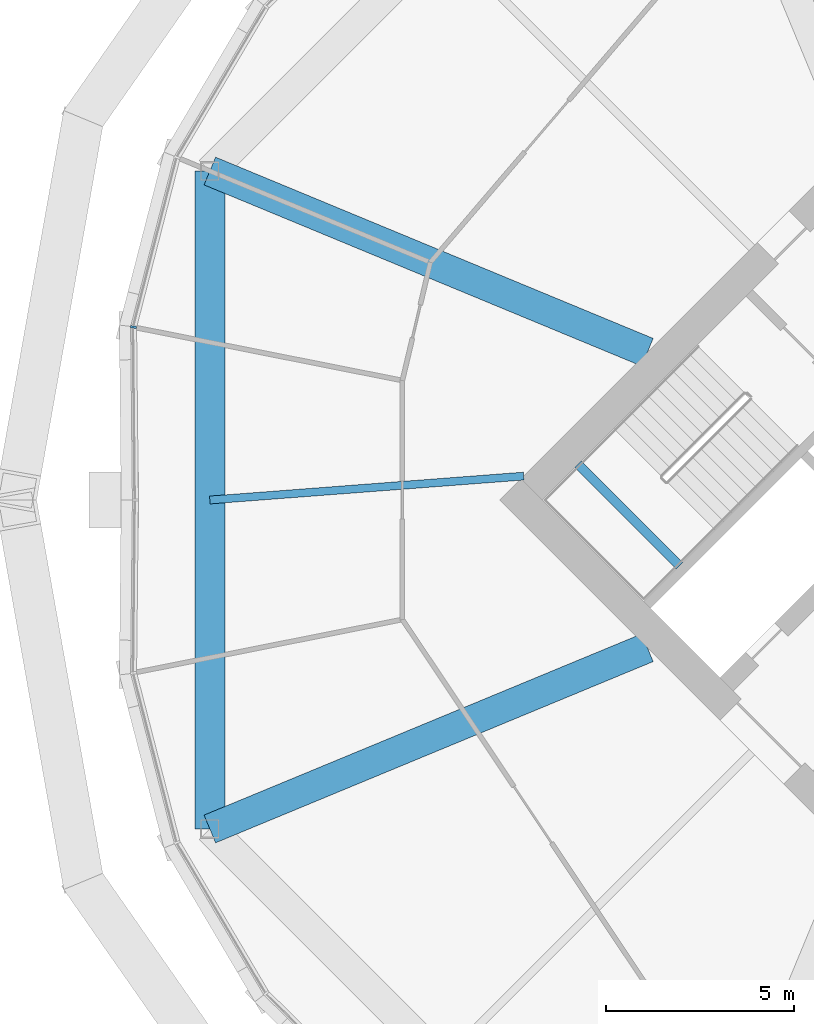
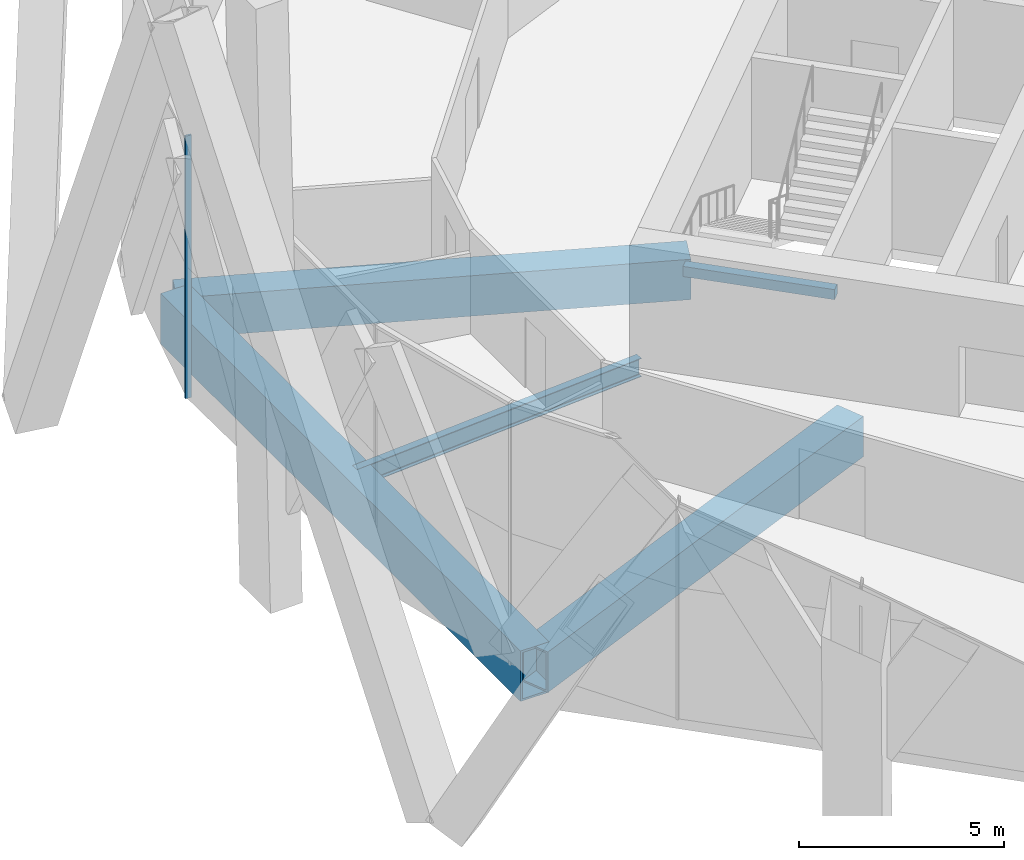
# One storey, part 11 of 31: 5 beams, 1 member, 1 element without a shape of its own.
"""IFC4 building model written with IfcOpenShell, lengths in metres."""

from ifc_helpers import new_model, si_unit, direction, frame, origin, origin_2d, place, context, subcontext, project, spatial, rectangle, hollow_rectangle, i_section, extrude, material, material_profile, profile_set, type_object, element, aggregate, save


model = new_model("IFC4")

# Units and contexts
model_context = context("Model", 3, precision=1e-05, world=origin(), true_north=direction((0.0, 1.0)))
body_context = subcontext(model_context, "Body", "Model", "MODEL_VIEW")
ifc_project = project(units=[si_unit("LENGTHUNIT", "METRE"), si_unit("AREAUNIT", "SQUARE_METRE"), si_unit("VOLUMEUNIT", "CUBIC_METRE"), si_unit("PLANEANGLEUNIT", "RADIAN"), si_unit("MASSUNIT", "GRAM", prefix="KILO")], contexts=[model_context])

# Site, building, storey
site_placement = place(None, origin())
site = spatial("IfcSite", under=ifc_project, at=site_placement, CompositionType="ELEMENT")
building_placement = place(site_placement, origin())
building = spatial("IfcBuilding", under=site, at=building_placement, Name="Ogive Gate Towers", CompositionType="ELEMENT")
storey_placement = place(building_placement, frame((0.0, 0.0, 55.800048828125)))
storey = spatial("IfcBuildingStorey", under=building, at=storey_placement, Name="L12", CompositionType="ELEMENT", Elevation=55.800048828125)

# Beams
ifc_material_1 = material(Name="Steel SM460", Category="steel")
ifc_material_profile_1 = material_profile(ifc_material_1, hollow_rectangle(XDim=0.800048828125, YDim=1.5, WallThickness=0.06005859375, at=origin_2d()), Name="BX 1500x800x60")
ifc_profile_set_1 = profile_set([ifc_material_profile_1], Name="Steel SM460")
beam_type_1 = type_object("IfcBeamType", Name="Edge girder BX 1500x800x60", PredefinedType="BEAM", material=ifc_profile_set_1)
beam_1_placement = place(storey_placement, frame((14.84326171875, 8.763427734375, -1.050048828125), z_axis=(0.0, -1.0, 0.0), x_axis=(1.0, 0.0, 0.0)))
element("IfcBeam", 1, at=beam_1_placement, inside=storey, type_object=beam_type_1, Name="T2/L12/SBM024", PredefinedType="BEAM", context=body_context, shape_type="SweptSolid", body=[
    extrude(hollow_rectangle(XDim=0.800048828125, YDim=1.5, WallThickness=0.06005859375, at=origin_2d()), origin(), (0.0, 0.0, 1.0), 17.52685546875),
])
ifc_material_2 = material(Name="Concrete C40/50", Category="concrete")
ifc_material_profile_2 = material_profile(ifc_material_2, rectangle(XDim=0.25, YDim=0.300048828125, at=origin_2d()), Name="RC 250x300")
ifc_profile_set_2 = profile_set([ifc_material_profile_2], Name="Concrete C40/50")
beam_type_2 = type_object("IfcBeamType", Name="Landing bearer RC 250x300", PredefinedType="BEAM", material=ifc_profile_set_2)
beam_2_placement = place(storey_placement, frame((24.650390625, 0.9541015625, 1.599853515625), z_axis=(0.707106781187, -0.707106781187, 0.0), x_axis=(0.707106781187, 0.707106781187, 0.0)))
element("IfcBeam", 2, at=beam_2_placement, inside=storey, type_object=beam_type_2, Name="T2 L12 stair 1 landing bearer 1", PredefinedType="BEAM", context=body_context, shape_type="SweptSolid", body=[
    extrude(rectangle(XDim=0.25, YDim=0.300048828125, at=origin_2d()), origin(), (0.0, 0.0, 1.0), 3.824951171875),
])
ifc_material_3 = material(Name="Steel SM355", Category="steel")
ifc_material_profile_3 = material_profile(ifc_material_3, i_section(OverallWidth=0.2099609375, OverallDepth=0.550048828125, WebThickness=0.010986328125, FlangeThickness=0.01708984375, FilletRadius=0.02392578125, at=origin_2d()), Name="IPE 550")
ifc_profile_set_3 = profile_set([ifc_material_profile_3], Name="Steel SM355")
beam_type_3 = type_object("IfcBeamType", Name="Radial floor beam IPE 550", PredefinedType="BEAM", material=ifc_profile_set_3)
beam_3_placement = place(storey_placement, frame((23.201416015625, 0.636474609375, -0.574951171875), z_axis=(-0.997113127526, -0.075930303007, 0.0), x_axis=(0.075930303007, -0.997113127526, 0.0)))
element("IfcBeam", 3, at=beam_3_placement, inside=storey, type_object=beam_type_3, Name="T2/L12/SBM016", PredefinedType="BEAM", context=body_context, shape_type="SweptSolid", body=[
    extrude(i_section(OverallWidth=0.2099609375, OverallDepth=0.550048828125, WebThickness=0.010986328125, FlangeThickness=0.01708984375, FilletRadius=0.02392578125, at=origin_2d()), origin(), (0.0, 0.0, 1.0), 8.38232421875),
])

# Curtain wall, member
ifc_material_4 = material(Name="Pale metal aluminium", Category="aluminium")
curtain_wall_type = type_object("IfcCurtainWallType", Name="Tower unitised wall, low zone", PredefinedType="NOTDEFINED", material=ifc_material_4)
curtain_wall_placement = place(storey_placement, origin())
curtain_wall = element("IfcCurtainWall", 4, at=curtain_wall_placement, inside=storey, type_object=curtain_wall_type, Name="CW1 T2 ECW04", PredefinedType="NOTDEFINED")
ifc_material_profile_4 = material_profile(ifc_material_4, rectangle(XDim=0.159912109375, YDim=0.06005859375, at=origin_2d()), Name="60 x 160 aluminium box")
ifc_profile_set_4 = profile_set([ifc_material_profile_4], Name="Pale metal aluminium")
member_type = type_object("IfcMemberType", Name="Tower unitised wall, low zone mullion 60 x 160", PredefinedType="MULLION", material=ifc_profile_set_4)
member_placement = place(storey_placement, frame((12.8125, 4.606201171875, -0.300048828125), z_axis=(0.0, 0.0, 1.0), x_axis=(-0.992727957326, 0.120379411626, 0.0)))
member = element("IfcMember", 5, at=member_placement, type_object=member_type, Name="CW1 mullion", PredefinedType="MULLION", context=body_context, shape_type="SweptSolid", body=[
    extrude(rectangle(XDim=0.159912109375, YDim=0.06005859375, at=origin_2d()), origin(), (0.0, 0.0, 1.0), 7.800048828125),
])
aggregate(curtain_wall, [member])

# Beams
ifc_material_profile_5 = material_profile(ifc_material_1, hollow_rectangle(XDim=0.800048828125, YDim=1.199951171875, WallThickness=0.050048828125, at=origin_2d()), Name="BX 1200x800x50")
ifc_profile_set_5 = profile_set([ifc_material_profile_5], Name="Steel SM460")
beam_type_4 = type_object("IfcBeamType", Name="Transfer radial beam BX 1200x800x50", PredefinedType="BEAM", material=ifc_profile_set_5)
for number, where, z_axis, x_axis, name in (
    (6, (26.5, -3.93505859375, -0.900146484375), (-0.923879811284, -0.382682759347, 0.0), (0.382682759347, -0.923879811284, 0.0), "T2/L12/SBM001"),
    (7, (26.5, 3.93505859375, -0.900146484375), (-0.923879811284, 0.382682759347, 0.0), (-0.382682759347, -0.923879811284, 0.0), "T2/L12/SBM015"),
):
    element("IfcBeam", number, at=place(storey_placement, frame(where, z_axis=z_axis, x_axis=x_axis)), inside=storey, type_object=beam_type_4, Name=name, PredefinedType="BEAM", context=body_context, shape_type="SweptSolid", body=[
        extrude(hollow_rectangle(XDim=0.800048828125, YDim=1.199951171875, WallThickness=0.050048828125, at=origin_2d()), origin(), (0.0, 0.0, 1.0), 12.6171875),
    ])

save(model, "model.ifc")
